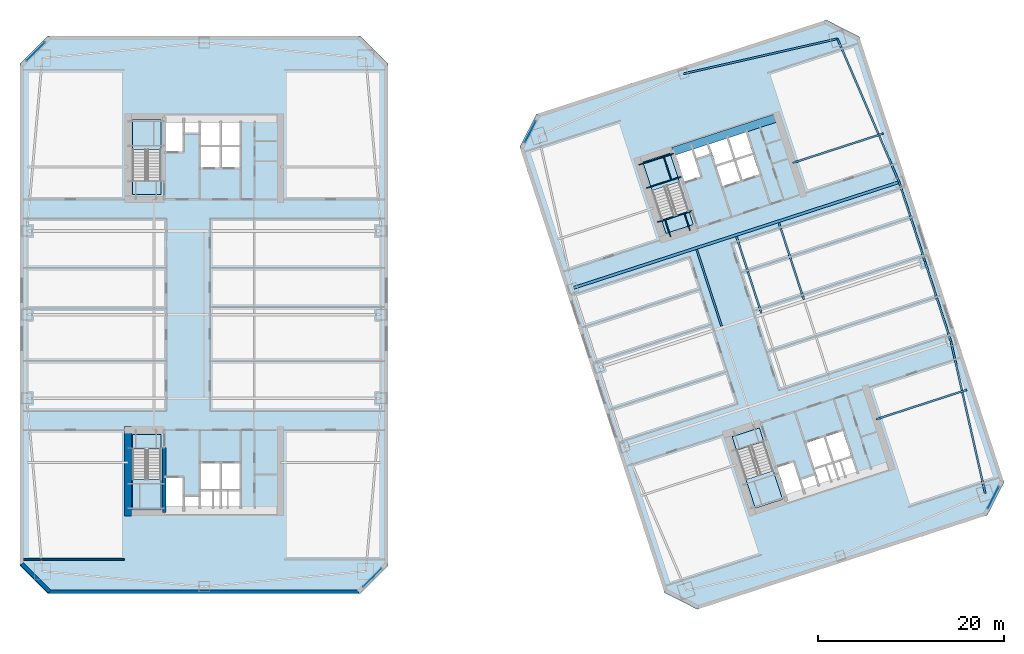
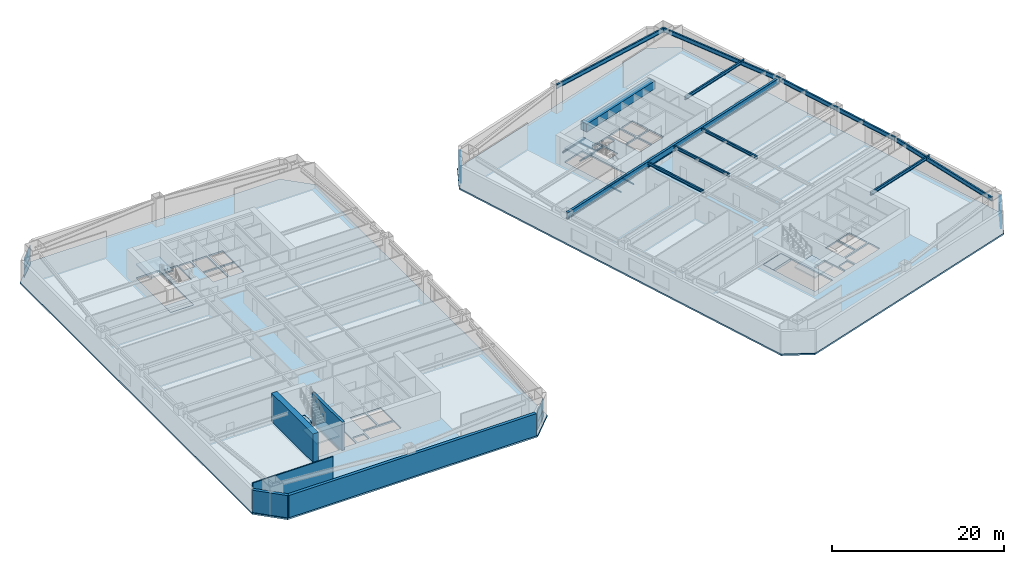
# One storey, part 9 of 24: 18 beams, 10 slabs, 8 plates, 5 walls, 8 elements without a shape of their own.
"""IFC4 building model written with IfcOpenShell, lengths in metres."""

from ifc_helpers import new_model, si_unit, direction, frame, frame_2d, origin, origin_2d, place, context, subcontext, project, spatial, polyline, rectangle, i_section, outline, extrude, material, layer, layer_set, material_profile, profile_set, type_object, element, aggregate, save


model = new_model("IFC4")

# Units and contexts
model_context = context("Model", 3, precision=1e-05, world=origin(), true_north=direction((0.0, 1.0)))
body_context = subcontext(model_context, "Body", "Model", "MODEL_VIEW")
ifc_project = project(units=[si_unit("LENGTHUNIT", "METRE"), si_unit("AREAUNIT", "SQUARE_METRE"), si_unit("VOLUMEUNIT", "CUBIC_METRE"), si_unit("PLANEANGLEUNIT", "RADIAN"), si_unit("MASSUNIT", "GRAM", prefix="KILO")], contexts=[model_context])

# Site, building, storey
site_placement = place(None, origin())
site = spatial("IfcSite", under=ifc_project, at=site_placement, CompositionType="ELEMENT")
building_placement = place(site_placement, origin())
building = spatial("IfcBuilding", under=site, at=building_placement, Name="Qiaolan Cultural Towers", CompositionType="ELEMENT")
storey_placement = place(building_placement, frame((0.0, 0.0, 30.0)))
storey = spatial("IfcBuildingStorey", under=building, at=storey_placement, Name="L06", CompositionType="ELEMENT", Elevation=30.0)

# Beams
ifc_material_1 = material(Name="Steel Q355B", Category="steel")
ifc_material_profile_1 = material_profile(ifc_material_1, i_section(OverallWidth=0.300048828125, OverallDepth=0.89990234375, WebThickness=0.01611328125, FlangeThickness=0.028076171875, at=origin_2d()), Name="HN900x300x16x28")
ifc_profile_set_1 = profile_set([ifc_material_profile_1], Name="Steel Q355B")
beam_type_1 = type_object("IfcBeamType", Name="BM-HN900x300x16x28", PredefinedType="BEAM", material=ifc_profile_set_1)
beam_1_placement = place(storey_placement, frame((69.671875, 36.858154296875, 3.2900390625), z_axis=(0.951055702987, 0.309019497469, 0.0), x_axis=(-0.309019497469, 0.951055702987, 0.0)))
element("IfcBeam", 1, at=beam_1_placement, inside=storey, type_object=beam_type_1, Name="L06 T2 Primary Transverse Girder V3", PredefinedType="BEAM", context=body_context, shape_type="SweptSolid", body=[
    extrude(i_section(OverallWidth=0.300048828125, OverallDepth=0.89990234375, WebThickness=0.01611328125, FlangeThickness=0.028076171875, at=origin_2d()), origin(), (0.0, 0.0, 1.0), 36.900146484375),
])
ifc_material_2 = material(Name="Steel Q355B", Category="steel")
ifc_material_profile_2 = material_profile(ifc_material_2, i_section(OverallWidth=0.199951171875, OverallDepth=0.39990234375, WebThickness=0.008056640625, FlangeThickness=0.012939453125, at=origin_2d()), Name="HN400x200x8x13")
ifc_profile_set_2 = profile_set([ifc_material_profile_2], Name="Steel Q355B")
beam_type_2 = type_object("IfcBeamType", Name="BM-JST-HN400x200x8x13", PredefinedType="JOIST", material=ifc_profile_set_2)
for number, where, z_axis, x_axis, name in (
    (2, (85.673828125, 32.752197265625, 3.5400390625), (-0.309020714809, 0.951055307445, 0.0), (-0.951055307445, -0.309020714809, 0.0), "L06 T2 Secondary Floor Joist U1-3"),
    (3, (89.95361328125, 34.142578125, 3.5400390625), (-0.309020714809, 0.951055307445, 0.0), (-0.951055307445, -0.309020714809, 0.0), "L06 T2 Secondary Floor Joist U2-3"),
    (4, (94.518798828125, 35.6259765625, 3.5400390625), (-0.309020714809, 0.951055307445, 0.0), (-0.951055307445, -0.309020714809, 0.0), "L06 T2 Secondary Floor Joist U3-3"),
):
    element("IfcBeam", number, at=place(storey_placement, frame(where, z_axis=z_axis, x_axis=x_axis)), inside=storey, type_object=beam_type_2, Name=name, PredefinedType="JOIST", context=body_context, shape_type="SweptSolid", body=[
        extrude(i_section(OverallWidth=0.199951171875, OverallDepth=0.39990234375, WebThickness=0.008056640625, FlangeThickness=0.012939453125, at=origin_2d()), origin(), (0.0, 0.0, 1.0), 8.699951171875),
    ])
ifc_material_3 = material(Name="Steel Q355B", Category="steel")
ifc_material_profile_3 = material_profile(ifc_material_3, i_section(OverallWidth=0.199951171875, OverallDepth=0.449951171875, WebThickness=0.009033203125, FlangeThickness=0.013916015625, at=origin_2d()), Name="HN450x200x9x14")
ifc_profile_set_3 = profile_set([ifc_material_profile_3], Name="Steel Q355B")
beam_type_3 = type_object("IfcBeamType", Name="BM-LNT-HN450x200x9x14", PredefinedType="LINTEL", material=ifc_profile_set_3)
beam_2_placement = place(storey_placement, frame((102.279296875, 22.74365234375, 3.514892578125), z_axis=(0.951056820587, 0.309016057859, 0.0), x_axis=(-0.309016057859, 0.951056820587, 0.0)))
element("IfcBeam", 5, at=beam_2_placement, inside=storey, type_object=beam_type_3, Name="L06 T2 Core Flank Tie Lintel ES", PredefinedType="LINTEL", context=body_context, shape_type="SweptSolid", body=[
    extrude(i_section(OverallWidth=0.199951171875, OverallDepth=0.449951171875, WebThickness=0.009033203125, FlangeThickness=0.013916015625, at=origin_2d()), origin(), (0.0, 0.0, 1.0), 10.250244140625),
])
beam_3_placement = place(storey_placement, frame((93.31787109375, 50.32421875, 3.514892578125), z_axis=(0.951054546097, 0.309023057955, 0.0), x_axis=(-0.309023057955, 0.951054546097, 0.0)))
element("IfcBeam", 6, at=beam_3_placement, inside=storey, type_object=beam_type_3, Name="L06 T2 Core Flank Tie Lintel EN", PredefinedType="LINTEL", context=body_context, shape_type="SweptSolid", body=[
    extrude(i_section(OverallWidth=0.199951171875, OverallDepth=0.449951171875, WebThickness=0.009033203125, FlangeThickness=0.013916015625, at=origin_2d()), origin(), (0.0, 0.0, 1.0), 10.25),
])
ifc_material_4 = material(Name="Concrete C50", Category="concrete")
ifc_material_profile_4 = material_profile(ifc_material_4, rectangle(XDim=0.89990234375, YDim=1.10009765625, at=origin_2d()), Name="RC900x1100")
ifc_profile_set_4 = profile_set([ifc_material_profile_4], Name="Concrete C50")
beam_type_4 = type_object("IfcBeamType", Name="BM-RC900x1100", PredefinedType="BEAM", material=ifc_profile_set_4)
beam_4_placement = place(storey_placement, frame((80.427978515625, 51.551025390625, 3.18994140625), z_axis=(0.951056266386, 0.309017763514, 0.0), x_axis=(-0.309017763514, 0.951056266386, 0.0)))
element("IfcBeam", 7, at=beam_4_placement, inside=storey, type_object=beam_type_4, Name="L06 T2 Core Header Girder N", PredefinedType="BEAM", context=body_context, shape_type="SweptSolid", body=[
    extrude(rectangle(XDim=0.89990234375, YDim=1.10009765625, at=origin_2d()), origin(), (0.0, 0.0, 1.0), 11.880126953125),
])
ifc_material_5 = material(Name="Steel Q355B", Category="steel")
ifc_material_profile_5 = material_profile(ifc_material_5, i_section(OverallWidth=0.199951171875, OverallDepth=0.60009765625, WebThickness=0.010986328125, FlangeThickness=0.01708984375, at=origin_2d()), Name="HN600x200x11x17")
ifc_profile_set_5 = profile_set([ifc_material_profile_5], Name="Steel Q355B")
beam_type_5 = type_object("IfcBeamType", Name="BM-SPD-HN600x200x11x17", PredefinedType="SPANDREL", material=ifc_profile_set_5)
beam_5_placement = place(storey_placement, frame((114.027099609375, 14.77392578125, 3.43994140625), z_axis=(-0.220430557386, 0.975402670373, 0.0), x_axis=(-0.975402670373, -0.220430557386, 0.0)))
element("IfcBeam", 8, at=beam_5_placement, inside=storey, type_object=beam_type_5, Name="L06 T2 Perimeter Spandrel Beam 3", PredefinedType="SPANDREL", context=body_context, shape_type="SweptSolid", body=[
    extrude(i_section(OverallWidth=0.199951171875, OverallDepth=0.60009765625, WebThickness=0.010986328125, FlangeThickness=0.01708984375, at=origin_2d()), origin(), (0.0, 0.0, 1.0), 16.78076171875),
])
for number, where, z_axis, x_axis, name in (
    (9, (110.328125, 31.141845703125, 3.43994140625), (-0.309024734286, 0.951054001411, 0.0), (-0.951054001411, -0.309024734286, 0.0), "L06 T2 Perimeter Spandrel Beam 4"),
    (10, (107.546875, 39.701416015625, 3.43994140625), (-0.309000197986, 0.951061973609, 0.0), (-0.951061973609, -0.309000197986, 0.0), "L06 T2 Perimeter Spandrel Beam 5"),
):
    element("IfcBeam", number, at=place(storey_placement, frame(where, z_axis=z_axis, x_axis=x_axis)), inside=storey, type_object=beam_type_5, Name=name, PredefinedType="SPANDREL", context=body_context, shape_type="SweptSolid", body=[
        extrude(i_section(OverallWidth=0.199951171875, OverallDepth=0.60009765625, WebThickness=0.010986328125, FlangeThickness=0.01708984375, at=origin_2d()), origin(), (0.0, 0.0, 1.0), 9.0),
    ])
beam_6_placement = place(storey_placement, frame((104.765869140625, 48.260986328125, 3.43994140625), z_axis=(-0.394998896054, 0.918681594524, 0.0), x_axis=(-0.918681594524, -0.394998896054, 0.0)))
element("IfcBeam", 11, at=beam_6_placement, inside=storey, type_object=beam_type_5, Name="L06 T2 Perimeter Spandrel Beam 6", PredefinedType="SPANDREL", context=body_context, shape_type="SweptSolid", body=[
    extrude(i_section(OverallWidth=0.199951171875, OverallDepth=0.60009765625, WebThickness=0.010986328125, FlangeThickness=0.01708984375, at=origin_2d()), origin(), (0.0, 0.0, 1.0), 16.78076171875),
])
beam_7_placement = place(storey_placement, frame((98.137451171875, 63.67724609375, 3.43994140625), z_axis=(-0.975161095889, -0.221496810506, 0.0), x_axis=(0.221496810506, -0.975161095889, 0.0)))
element("IfcBeam", 12, at=beam_7_placement, inside=storey, type_object=beam_type_5, Name="L06 T2 Perimeter Spandrel Beam 7", PredefinedType="SPANDREL", context=body_context, shape_type="SweptSolid", body=[
    extrude(i_section(OverallWidth=0.199951171875, OverallDepth=0.60009765625, WebThickness=0.010986328125, FlangeThickness=0.01708984375, at=origin_2d()), origin(), (0.0, 0.0, 1.0), 16.97998046875),
])
ifc_material_6 = material(Name="Steel Q355B", Category="steel")
ifc_material_profile_6 = material_profile(ifc_material_6, i_section(OverallWidth=0.10009765625, OverallDepth=0.199951171875, WebThickness=0.005615234375, FlangeThickness=0.008056640625, at=origin_2d()), Name="HN200x100x5.5x8")
ifc_profile_set_6 = profile_set([ifc_material_profile_6], Name="Steel Q355B")
beam_type_6 = type_object("IfcBeamType", Name="BM-STTRIM-200", PredefinedType="BEAM", material=ifc_profile_set_6)
beam_8_placement = place(storey_placement, frame((78.773193359375, 43.958251953125, -0.4599609375), z_axis=(0.951072048947, 0.3089691857, 0.0), x_axis=(-0.3089691857, 0.951072048947, 0.0)))
element("IfcBeam", 13, at=beam_8_placement, inside=storey, type_object=beam_type_6, Name="L06 ST-E2 Floor Landing Header Beam", PredefinedType="BEAM", context=body_context, shape_type="SweptSolid", body=[
    extrude(i_section(OverallWidth=0.10009765625, OverallDepth=0.199951171875, WebThickness=0.005615234375, FlangeThickness=0.008056640625, at=origin_2d()), origin(), (0.0, 0.0, 1.0), 3.920166015625),
])
for number, where, z_axis, x_axis, name in (
    (14, (80.18115234375, 42.375732421875, -0.4599609375), (-0.308969394428, 0.951071981138, 0.0), (-0.951071981138, -0.308969394428, 0.0), "L06 ST-E2 Floor Landing Stringer 1"),
    (15, (82.2734375, 43.0556640625, -0.4599609375), (-0.308969394428, 0.951071981138, 0.0), (-0.951071981138, -0.308969394428, 0.0), "L06 ST-E2 Floor Landing Stringer 2"),
):
    element("IfcBeam", number, at=place(storey_placement, frame(where, z_axis=z_axis, x_axis=x_axis)), inside=storey, type_object=beam_type_6, Name=name, PredefinedType="BEAM", context=body_context, shape_type="SweptSolid", body=[
        extrude(i_section(OverallWidth=0.10009765625, OverallDepth=0.199951171875, WebThickness=0.005615234375, FlangeThickness=0.008056640625, at=origin_2d()), origin(), (0.0, 0.0, 1.0), 1.93994140625),
    ])
beam_9_placement = place(storey_placement, frame((77.583984375, 47.618408203125, 1.699951171875), z_axis=(0.951047798727, 0.309043823005, 0.0), x_axis=(-0.309043823005, 0.951047798727, 0.0)))
element("IfcBeam", 16, at=beam_9_placement, inside=storey, type_object=beam_type_6, Name="L06 ST-E2 Stair Landing Support Beam 1-1", PredefinedType="BEAM", context=body_context, shape_type="SweptSolid", body=[
    extrude(i_section(OverallWidth=0.10009765625, OverallDepth=0.199951171875, WebThickness=0.005615234375, FlangeThickness=0.008056640625, at=origin_2d()), origin(), (0.0, 0.0, 1.0), 3.919921875),
])
beam_10_placement = place(storey_placement, frame((76.770751953125, 50.12109375, 1.699951171875), z_axis=(0.951072048947, 0.3089691857, 0.0), x_axis=(-0.3089691857, 0.951072048947, 0.0)))
element("IfcBeam", 17, at=beam_10_placement, inside=storey, type_object=beam_type_6, Name="L06 ST-E2 Stair Landing Support Beam 1-2", PredefinedType="BEAM", context=body_context, shape_type="SweptSolid", body=[
    extrude(i_section(OverallWidth=0.10009765625, OverallDepth=0.199951171875, WebThickness=0.005615234375, FlangeThickness=0.008056640625, at=origin_2d()), origin(), (0.0, 0.0, 1.0), 3.920166015625),
])
beam_11_placement = place(storey_placement, frame((80.25634765625, 48.48681640625, 1.699951171875), z_axis=(-0.308981166967, 0.95106815658, 0.0), x_axis=(-0.95106815658, -0.308981166967, 0.0)))
element("IfcBeam", 18, at=beam_11_placement, inside=storey, type_object=beam_type_6, Name="L06 ST-E2 Stair Landing Trimmer 1", PredefinedType="BEAM", context=body_context, shape_type="SweptSolid", body=[
    extrude(i_section(OverallWidth=0.10009765625, OverallDepth=0.199951171875, WebThickness=0.005615234375, FlangeThickness=0.008056640625, at=origin_2d()), origin(), (0.0, 0.0, 1.0), 2.631103515625),
])

# Curtain wall, plates
ifc_material_7 = material(Name="Unitized Anodized Aluminium Curtain Wall System", Category="aluminium")
ifc_layer_1 = layer(ifc_material_7, 0.199951171875)
ifc_layer_set_1 = layer_set([ifc_layer_1], Name="Unitized Anodized Aluminium Curtain Wall System")
curtain_wall_type = type_object("IfcCurtainWallType", Name="CWS-02", PredefinedType="NOTDEFINED", material=ifc_layer_set_1)
curtain_wall_1_placement = place(storey_placement, origin())
curtain_wall_1 = element("IfcCurtainWall", 19, at=curtain_wall_1_placement, inside=storey, type_object=curtain_wall_type, Name="L06 T1 Chamfer Wind-Corner Feature Curtain Wall 1", PredefinedType="NOTDEFINED")
ifc_material_8 = material(Name="Laminated Low-E Insulating Glass Unit", Category="glass")
ifc_layer_2 = layer(ifc_material_8, 0.035888671875)
ifc_layer_set_2 = layer_set([ifc_layer_2], Name="Laminated Low-E Insulating Glass Unit")
plate_type = type_object("IfcPlateType", Name="CWS-02-PNL", PredefinedType="CURTAIN_PANEL", material=ifc_layer_set_2)
plate_1_placement = place(storey_placement, frame((11.89990234375, 62.300048828125, 0.215087890625), z_axis=(0.0, 0.0, 1.0), x_axis=(0.707106781187, 0.707106781187, 0.0)))
plate_1 = element("IfcPlate", 20, at=plate_1_placement, type_object=plate_type, Name="CW-2 panel 1.1", PredefinedType="CURTAIN_PANEL", context=body_context, shape_type="SweptSolid", body=[
    extrude(rectangle(XDim=2.735107421875, YDim=0.035888671875, at=origin_2d()), origin(), (0.0, 0.0, 1.0), 1.00244140625),
])
plate_2_placement = place(storey_placement, frame((11.89990234375, 62.300048828125, 1.282470703125), z_axis=(0.0, 0.0, 1.0), x_axis=(0.707106781187, 0.707106781187, 0.0)))
plate_2 = element("IfcPlate", 21, at=plate_2_placement, type_object=plate_type, Name="CW-2 panel 1.2", PredefinedType="CURTAIN_PANEL", context=body_context, shape_type="SweptSolid", body=[
    extrude(rectangle(XDim=2.735107421875, YDim=0.035888671875, at=origin_2d()), origin(), (0.0, 0.0, 1.0), 1.71240234375),
])
aggregate(curtain_wall_1, [plate_1, plate_2])

curtain_wall_2_placement = place(storey_placement, origin())
curtain_wall_2 = element("IfcCurtainWall", 22, at=curtain_wall_2_placement, inside=storey, type_object=curtain_wall_type, Name="L06 T1 Chamfer Wind-Corner Feature Curtain Wall 2", PredefinedType="NOTDEFINED")
plate_3_placement = place(storey_placement, frame((48.10009765625, 5.699951171875, 0.215087890625), z_axis=(0.0, 0.0, 1.0), x_axis=(-0.707106781187, -0.707106781187, 0.0)))
plate_3 = element("IfcPlate", 23, at=plate_3_placement, type_object=plate_type, Name="CW-2 panel 1.1", PredefinedType="CURTAIN_PANEL", context=body_context, shape_type="SweptSolid", body=[
    extrude(rectangle(XDim=2.735107421875, YDim=0.035888671875, at=origin_2d()), origin(), (0.0, 0.0, 1.0), 1.00244140625),
])
plate_4_placement = place(storey_placement, frame((48.10009765625, 5.699951171875, 1.282470703125), z_axis=(0.0, 0.0, 1.0), x_axis=(-0.707106781187, -0.707106781187, 0.0)))
plate_4 = element("IfcPlate", 24, at=plate_4_placement, type_object=plate_type, Name="CW-2 panel 1.2", PredefinedType="CURTAIN_PANEL", context=body_context, shape_type="SweptSolid", body=[
    extrude(rectangle(XDim=2.735107421875, YDim=0.035888671875, at=origin_2d()), origin(), (0.0, 0.0, 1.0), 1.71240234375),
])
aggregate(curtain_wall_2, [plate_3, plate_4])

curtain_wall_3_placement = place(storey_placement, origin())
curtain_wall_3 = element("IfcCurtainWall", 25, at=curtain_wall_3_placement, inside=storey, type_object=curtain_wall_type, Name="L06 T2 Chamfer Wind-Corner Feature Curtain Wall 1", PredefinedType="NOTDEFINED")
plate_5_placement = place(storey_placement, frame((65.103271484375, 53.669189453125, 0.215087890625), z_axis=(0.0, 0.0, 1.0), x_axis=(0.45399042074, 0.89100656444, 0.0)))
plate_5 = element("IfcPlate", 26, at=plate_5_placement, type_object=plate_type, Name="CW-2 panel 1.1", PredefinedType="CURTAIN_PANEL", context=body_context, shape_type="SweptSolid", body=[
    extrude(rectangle(XDim=2.542724609375, YDim=0.035888671875, at=origin_2d()), origin(), (0.0, 0.0, 1.0), 1.00244140625),
])
plate_6_placement = place(storey_placement, frame((65.103271484375, 53.669189453125, 1.282470703125), z_axis=(0.0, 0.0, 1.0), x_axis=(0.45399042074, 0.89100656444, 0.0)))
plate_6 = element("IfcPlate", 27, at=plate_6_placement, type_object=plate_type, Name="CW-2 panel 1.2", PredefinedType="CURTAIN_PANEL", context=body_context, shape_type="SweptSolid", body=[
    extrude(rectangle(XDim=2.542724609375, YDim=0.035888671875, at=origin_2d()), origin(), (0.0, 0.0, 1.0), 1.71240234375),
])
aggregate(curtain_wall_3, [plate_5, plate_6])

curtain_wall_4_placement = place(storey_placement, origin())
curtain_wall_4 = element("IfcCurtainWall", 28, at=curtain_wall_4_placement, inside=storey, type_object=curtain_wall_type, Name="L06 T2 Chamfer Wind-Corner Feature Curtain Wall 2", PredefinedType="NOTDEFINED")
plate_7_placement = place(storey_placement, frame((114.896728515625, 14.330810546875, 0.215087890625), z_axis=(0.0, 0.0, 1.0), x_axis=(-0.45399042074, -0.89100656444, 0.0)))
plate_7 = element("IfcPlate", 29, at=plate_7_placement, type_object=plate_type, Name="CW-2 panel 1.1", PredefinedType="CURTAIN_PANEL", context=body_context, shape_type="SweptSolid", body=[
    extrude(rectangle(XDim=2.542724609375, YDim=0.035888671875, at=origin_2d()), origin(), (0.0, 0.0, 1.0), 1.00244140625),
])
plate_8_placement = place(storey_placement, frame((114.896728515625, 14.330810546875, 1.282470703125), z_axis=(0.0, 0.0, 1.0), x_axis=(-0.45399042074, -0.89100656444, 0.0)))
plate_8 = element("IfcPlate", 30, at=plate_8_placement, type_object=plate_type, Name="CW-2 panel 1.2", PredefinedType="CURTAIN_PANEL", context=body_context, shape_type="SweptSolid", body=[
    extrude(rectangle(XDim=2.542724609375, YDim=0.035888671875, at=origin_2d()), origin(), (0.0, 0.0, 1.0), 1.71240234375),
])
aggregate(curtain_wall_4, [plate_7, plate_8])

# Stair, slab
ifc_material_9 = material(Name="Concrete C45", Category="concrete")
stair_type = type_object("IfcStairType", Name="STR-CORE-1500", PredefinedType="HALF_TURN_STAIR", material=ifc_material_9)
stair_1_placement = place(storey_placement, origin())
stair_1 = element("IfcStair", 31, at=stair_1_placement, inside=storey, type_object=stair_type, Name="L06 Smokeproof Exit Stair ST-W1", PredefinedType="HALF_TURN_STAIR")
ifc_material_10 = material(Name="Concrete C45", Category="concrete")
ifc_layer_3 = layer(ifc_material_10, 0.199951171875)
ifc_layer_set_3 = layer_set([ifc_layer_3], Name="Concrete C45")
slab_type_1 = type_object("IfcSlabType", Name="SL-STAIR-LAND", PredefinedType="LANDING", material=ifc_layer_set_3)
slab_1_placement = place(storey_placement, frame((0.0, 0.0, 1.800048828125)))
slab_1 = element("IfcSlab", 32, at=slab_1_placement, type_object=slab_type_1, Name="ST-W1 landing 1", PredefinedType="LANDING", context=body_context, shape_type="SweptSolid", body=[
    extrude(outline(polyline([(22.300048828125, 16.251220703125), (22.300048828125, 13.0), (25.3798828125, 13.0), (25.3798828125, 16.251220703125), (22.300048828125, 16.251220703125)])), origin(), (0.0, 0.0, 1.0), 0.199951171875),
])
aggregate(stair_1, [slab_1])

stair_2_placement = place(storey_placement, origin())
stair_2 = element("IfcStair", 33, at=stair_2_placement, inside=storey, type_object=stair_type, Name="L06 Smokeproof Exit Stair ST-W2", PredefinedType="HALF_TURN_STAIR")
slab_2_placement = place(storey_placement, frame((0.0, 0.0, 1.800048828125)))
slab_2 = element("IfcSlab", 34, at=slab_2_placement, type_object=slab_type_1, Name="ST-W2 landing 1", PredefinedType="LANDING", context=body_context, shape_type="SweptSolid", body=[
    extrude(outline(polyline([(25.3798828125, 51.748779296875), (25.3798828125, 55.0), (22.300048828125, 55.0), (22.300048828125, 51.748779296875), (25.3798828125, 51.748779296875)])), origin(), (0.0, 0.0, 1.0), 0.199951171875),
])
aggregate(stair_2, [slab_2])

stair_3_placement = place(storey_placement, origin())
stair_3 = element("IfcStair", 35, at=stair_3_placement, inside=storey, type_object=stair_type, Name="L06 Smokeproof Exit Stair ST-E1", PredefinedType="HALF_TURN_STAIR")
slab_3_placement = place(storey_placement, frame((0.0, 0.0, 1.800048828125)))
slab_3 = element("IfcSlab", 36, at=slab_3_placement, type_object=slab_type_1, Name="ST-E1 landing 1", PredefinedType="LANDING", context=body_context, shape_type="SweptSolid", body=[
    extrude(outline(polyline([(88.299560546875, 16.25732421875), (89.30419921875, 13.165283203125), (92.2333984375, 14.116943359375), (91.228759765625, 17.209228515625), (88.299560546875, 16.25732421875)])), origin(), (0.0, 0.0, 1.0), 0.199951171875),
])
aggregate(stair_3, [slab_3])

stair_4_placement = place(storey_placement, origin())
stair_4 = element("IfcStair", 37, at=stair_4_placement, inside=storey, type_object=stair_type, Name="L06 Smokeproof Exit Stair ST-E2", PredefinedType="HALF_TURN_STAIR")
slab_4_placement = place(storey_placement, frame((0.0, 0.0, 1.800048828125)))
slab_4 = element("IfcSlab", 38, at=slab_4_placement, type_object=slab_type_1, Name="ST-E2 landing 1", PredefinedType="LANDING", context=body_context, shape_type="SweptSolid", body=[
    extrude(outline(polyline([(81.124755859375, 48.306396484375), (80.1201171875, 51.3984375), (77.190673828125, 50.44677734375), (78.195556640625, 47.3544921875), (81.124755859375, 48.306396484375)])), origin(), (0.0, 0.0, 1.0), 0.199951171875),
])
aggregate(stair_4, [slab_4])

# Slabs
ifc_material_11 = material(Name="Concrete C40", Category="concrete")
ifc_layer_4 = layer(ifc_material_11, 0.360107421875)
ifc_layer_set_4 = layer_set([ifc_layer_4], Name="Concrete C40")
slab_type_2 = type_object("IfcSlabType", Name="SL-STFLR-360", PredefinedType="LANDING", material=ifc_layer_set_4)
slab_5_placement = place(storey_placement, frame((0.0, 0.0, -0.360107421875)))
element("IfcSlab", 39, at=slab_5_placement, inside=storey, type_object=slab_type_2, Name="L06 ST-W1 Stair Floor Landing Slab", PredefinedType="LANDING", context=body_context, shape_type="SweptSolid", body=[
    extrude(outline(polyline([(22.302001953125, 21.097900390625), (22.302001953125, 19.548583984375), (25.3779296875, 19.548583984375), (25.3779296875, 21.097900390625), (22.302001953125, 21.097900390625)])), origin(), (0.0, 0.0, 1.0), 0.360107421875),
])
slab_6_placement = place(storey_placement, frame((0.0, 0.0, -0.360107421875)))
element("IfcSlab", 40, at=slab_6_placement, inside=storey, type_object=slab_type_2, Name="L06 ST-W2 Stair Floor Landing Slab", PredefinedType="LANDING", context=body_context, shape_type="SweptSolid", body=[
    extrude(outline(polyline([(25.3779296875, 46.902099609375), (25.3779296875, 48.451416015625), (22.302001953125, 48.451416015625), (22.302001953125, 46.902099609375), (25.3779296875, 46.902099609375)])), origin(), (0.0, 0.0, 1.0), 0.360107421875),
])
slab_7_placement = place(storey_placement, frame((0.0, 0.0, -0.360107421875)))
element("IfcSlab", 41, at=slab_7_placement, inside=storey, type_object=slab_type_2, Name="L06 ST-E1 Stair Floor Landing Slab", PredefinedType="LANDING", context=body_context, shape_type="SweptSolid", body=[
    extrude(outline(polyline([(86.8037109375, 20.867431640625), (87.282470703125, 19.39404296875), (90.2080078125, 20.3447265625), (89.729248046875, 21.818115234375), (86.8037109375, 20.867431640625)])), origin(), (0.0, 0.0, 1.0), 0.360107421875),
])
slab_8_placement = place(storey_placement, frame((0.0, 0.0, -0.360107421875)))
element("IfcSlab", 42, at=slab_8_placement, inside=storey, type_object=slab_type_2, Name="L06 ST-E2 Stair Floor Landing Slab", PredefinedType="LANDING", context=body_context, shape_type="SweptSolid", body=[
    extrude(outline(polyline([(82.62060546875, 43.6962890625), (82.141845703125, 45.169677734375), (79.21630859375, 44.21923828125), (79.695068359375, 42.74560546875), (82.62060546875, 43.6962890625)])), origin(), (0.0, 0.0, 1.0), 0.360107421875),
])
ifc_material_12 = material(Name="Concrete C45", Category="concrete")
ifc_layer_5 = layer(ifc_material_12, 0.219970703125)
ifc_layer_set_5 = layer_set([ifc_layer_5], Name="Concrete C45")
slab_type_3 = type_object("IfcSlabType", Name="SL-TYP-220", PredefinedType="FLOOR", material=ifc_layer_set_5)
slab_9_placement = place(storey_placement, frame((0.0, 0.0, -0.219970703125)))
element("IfcSlab", 43, at=slab_9_placement, inside=storey, type_object=slab_type_3, Name="L06 West Tower Floor Slab", PredefinedType="FLOOR", context=body_context, shape_type="SweptSolid", body=[
    extrude(outline(polyline([(13.199951171875, 4.0), (46.800048828125, 4.0), (49.800048828125, 7.0), (49.800048828125, 61.0), (46.800048828125, 64.0), (13.199951171875, 64.0), (10.199951171875, 61.0), (10.199951171875, 7.0), (13.199951171875, 4.0)]), holes=[polyline([(22.300048828125, 21.10009765625), (22.300048828125, 13.0), (25.3798828125, 13.0), (25.3798828125, 21.10009765625), (22.300048828125, 21.10009765625)]), polyline([(25.3798828125, 46.89990234375), (25.3798828125, 55.0), (22.300048828125, 55.0), (22.300048828125, 46.89990234375), (25.3798828125, 46.89990234375)]), polyline([(25.89990234375, 13.199951171875), (27.75, 13.199951171875), (27.75, 16.449951171875), (25.89990234375, 16.449951171875), (25.89990234375, 13.199951171875)]), polyline([(27.93994140625, 13.25), (29.449951171875, 13.25), (29.449951171875, 14.419921875), (27.93994140625, 14.419921875), (27.93994140625, 13.25)]), polyline([(29.679931640625, 15.199951171875), (31.679931640625, 15.199951171875), (31.679931640625, 18.0), (29.679931640625, 18.0), (29.679931640625, 15.199951171875)]), polyline([(31.8798828125, 15.199951171875), (33.820068359375, 15.199951171875), (33.820068359375, 18.0), (31.8798828125, 18.0), (31.8798828125, 15.199951171875)]), polyline([(29.679931640625, 13.25), (33.820068359375, 13.25), (33.820068359375, 14.97998046875), (29.679931640625, 14.97998046875), (29.679931640625, 13.25)]), polyline([(25.89990234375, 51.550048828125), (27.75, 51.550048828125), (27.75, 54.800048828125), (25.89990234375, 54.800048828125), (25.89990234375, 51.550048828125)]), polyline([(27.93994140625, 53.580078125), (29.449951171875, 53.580078125), (29.449951171875, 54.75), (27.93994140625, 54.75), (27.93994140625, 53.580078125)]), polyline([(29.679931640625, 49.820068359375), (31.679931640625, 49.820068359375), (31.679931640625, 52.080078125), (29.679931640625, 52.080078125), (29.679931640625, 49.820068359375)]), polyline([(31.8798828125, 49.820068359375), (33.820068359375, 49.820068359375), (33.820068359375, 52.080078125), (31.8798828125, 52.080078125), (31.8798828125, 49.820068359375)]), polyline([(29.679931640625, 52.27001953125), (31.659912109375, 52.27001953125), (31.659912109375, 54.75), (29.679931640625, 54.75), (29.679931640625, 52.27001953125)]), polyline([(31.8798828125, 52.27001953125), (33.820068359375, 52.27001953125), (33.820068359375, 54.75), (31.8798828125, 54.75), (31.8798828125, 52.27001953125)])]), origin(), (0.0, 0.0, 1.0), 0.219970703125),
])
slab_10_placement = place(storey_placement, frame((0.0, 0.0, -0.219970703125)))
element("IfcSlab", 44, at=slab_10_placement, inside=storey, type_object=slab_type_3, Name="L06 East Tower Floor Slab", PredefinedType="FLOOR", context=body_context, shape_type="SweptSolid", body=[
    extrude(outline(polyline([(83.05517578125, 2.302490234375), (114.249755859375, 12.438232421875), (116.047607421875, 15.966552734375), (100.47314453125, 63.899658203125), (96.94482421875, 65.697509765625), (65.750244140625, 55.561767578125), (63.952392578125, 52.033447265625), (79.52685546875, 4.100341796875), (83.05517578125, 2.302490234375)]), holes=[polyline([(86.80126953125, 20.868896484375), (89.30419921875, 13.165283203125), (92.2333984375, 14.116943359375), (89.73046875, 21.820556640625), (86.80126953125, 20.868896484375)]), polyline([(82.623046875, 43.69482421875), (80.1201171875, 51.3984375), (77.190673828125, 50.44677734375), (79.69384765625, 42.7431640625), (82.623046875, 43.69482421875)]), polyline([(92.666259765625, 14.468017578125), (94.42578125, 15.03955078125), (93.42138671875, 18.130615234375), (91.661865234375, 17.558837890625), (92.666259765625, 14.468017578125)]), polyline([(94.5908203125, 15.14599609375), (96.027099609375, 15.612548828125), (95.66552734375, 16.725341796875), (94.2294921875, 16.258544921875), (94.5908203125, 15.14599609375)]), polyline([(95.643310546875, 17.5380859375), (97.54541015625, 18.15625), (96.68017578125, 20.819091796875), (94.77783203125, 20.201171875), (95.643310546875, 17.5380859375)]), polyline([(97.735595703125, 18.218017578125), (99.58056640625, 18.8173828125), (98.71533203125, 21.48046875), (96.870361328125, 20.880859375), (97.735595703125, 18.218017578125)]), polyline([(96.245849609375, 15.68359375), (100.18310546875, 16.962890625), (99.6484375, 18.608154296875), (95.711181640625, 17.328857421875), (96.245849609375, 15.68359375)]), polyline([(81.6806640625, 48.278076171875), (83.440185546875, 48.849609375), (82.435791015625, 51.940673828125), (80.67626953125, 51.368896484375), (81.6806640625, 48.278076171875)]), polyline([(82.993408203125, 50.839111328125), (84.4296875, 51.3056640625), (84.068115234375, 52.41845703125), (82.632080078125, 51.95166015625), (82.993408203125, 50.839111328125)]), polyline([(85.810302734375, 47.80078125), (87.71240234375, 48.418701171875), (87.013916015625, 50.568115234375), (85.11181640625, 49.9501953125), (85.810302734375, 47.80078125)]), polyline([(87.902587890625, 48.480712890625), (89.74755859375, 49.080078125), (89.04931640625, 51.2294921875), (87.2041015625, 50.6298828125), (87.902587890625, 48.480712890625)]), polyline([(85.05322265625, 50.130859375), (86.936279296875, 50.74267578125), (86.169921875, 53.101318359375), (84.286865234375, 52.489501953125), (85.05322265625, 50.130859375)]), polyline([(87.1455078125, 50.810791015625), (88.990478515625, 51.41015625), (88.22412109375, 53.768798828125), (86.379150390625, 53.169189453125), (87.1455078125, 50.810791015625)])]), origin(), (0.0, 0.0, 1.0), 0.219970703125),
])

# Walls
ifc_material_13 = material(Name="Concrete C50", Category="concrete")
ifc_layer_6 = layer(ifc_material_13, 0.35009765625)
ifc_layer_set_6 = layer_set([ifc_layer_6], Name="Concrete C50")
wall_type_1 = type_object("IfcWallType", Name="WL-CORE-350", PredefinedType="SHEAR", material=ifc_layer_set_6)
wall_1_placement = place(storey_placement, frame((25.719970703125, 19.699951171875, 0.0), z_axis=(0.0, 0.0, 1.0), x_axis=(0.0, -1.0, 0.0)))
element("IfcWall", 45, at=wall_1_placement, inside=storey, type_object=wall_type_1, Name="L06 T1-CS Stair Core Dividing Web", PredefinedType="SHEAR", context=body_context, shape_type="SweptSolid", body=[
    extrude(rectangle(XDim=6.97998046875, YDim=0.35009765625, at=frame_2d((3.489990234375, 0.0))), origin(), (0.0, 0.0, 1.0), 4.0),
])
ifc_material_14 = material(Name="Concrete C60", Category="concrete")
ifc_layer_7 = layer(ifc_material_14, 0.75)
ifc_layer_set_7 = layer_set([ifc_layer_7], Name="Concrete C60")
wall_type_2 = type_object("IfcWallType", Name="WL-CORE-750", PredefinedType="SHEAR", material=ifc_layer_set_7)
wall_2_placement = place(storey_placement, frame((21.800048828125, 21.97509765625, 0.0), z_axis=(0.0, 0.0, 1.0), x_axis=(0.0, -1.0, 0.0)))
element("IfcWall", 46, at=wall_2_placement, inside=storey, type_object=wall_type_2, Name="L06 T1-CS West Core Shear Wall", PredefinedType="SHEAR", context=body_context, shape_type="SweptSolid", body=[
    extrude(rectangle(XDim=9.630126953125, YDim=0.75, at=frame_2d((4.81494140625, 0.0))), origin(), (0.0, 0.0, 1.0), 4.0),
])
ifc_material_15 = material(Name="Precast Concrete C50 Honed Stone Pier", Category="masonry")
ifc_layer_8 = layer(ifc_material_15, 0.39990234375)
ifc_layer_set_8 = layer_set([ifc_layer_8], Name="Precast Concrete C50 Honed Stone Pier")
wall_type_3 = type_object("IfcWallType", Name="WL-EXT-PIER-400", PredefinedType="SOLIDWALL", material=ifc_layer_set_8)
wall_3_placement = place(storey_placement, frame((46.60009765625, 4.199951171875, 0.0), z_axis=(0.0, 0.0, 1.0), x_axis=(-1.0, 0.0, 0.0)))
element("IfcWall", 47, at=wall_3_placement, inside=storey, type_object=wall_type_3, Name="L06 West Tower Precast Pier Facade Wall F7", PredefinedType="SOLIDWALL", context=body_context, shape_type="SweptSolid", body=[
    extrude(rectangle(XDim=33.2001953125, YDim=0.39990234375, at=frame_2d((16.60009765625, 0.0))), origin(), (0.0, 0.0, 1.0), 3.159912109375),
])
wall_4_placement = place(storey_placement, frame((13.39990234375, 4.199951171875, 0.0), z_axis=(0.0, 0.0, 1.0), x_axis=(-0.707106781187, 0.707106781187, 0.0)))
element("IfcWall", 48, at=wall_4_placement, inside=storey, type_object=wall_type_3, Name="L06 West Tower Precast Pier Facade Wall F8", PredefinedType="SOLIDWALL", context=body_context, shape_type="SweptSolid", body=[
    extrude(rectangle(XDim=4.24267578125, YDim=0.39990234375, at=frame_2d((2.121337890625, 0.0))), origin(), (0.0, 0.0, 1.0), 3.159912109375),
])
ifc_material_16 = material(Name="Autoclaved Aerated Concrete Block B06", Category="concrete")
ifc_layer_9 = layer(ifc_material_16, 0.14990234375)
ifc_layer_set_9 = layer_set([ifc_layer_9], Name="Autoclaved Aerated Concrete Block B06")
wall_type_4 = type_object("IfcWallType", Name="WL-PART-150", PredefinedType="PARTITIONING", material=ifc_layer_set_9)
wall_5_placement = place(storey_placement, frame((10.60009765625, 7.64990234375, 0.0), z_axis=(0.0, 0.0, 1.0), x_axis=(1.0, 0.0, 0.0)))
element("IfcWall", 49, at=wall_5_placement, inside=storey, type_object=wall_type_4, Name="L06 T1 Flank Wall FLK-SW", PredefinedType="PARTITIONING", context=body_context, shape_type="SweptSolid", body=[
    extrude(rectangle(XDim=10.7998046875, YDim=0.14990234375, at=frame_2d((5.39990234375, 0.0))), origin(), (0.0, 0.0, 1.0), 3.72509765625),
])

save(model, "model.ifc")
